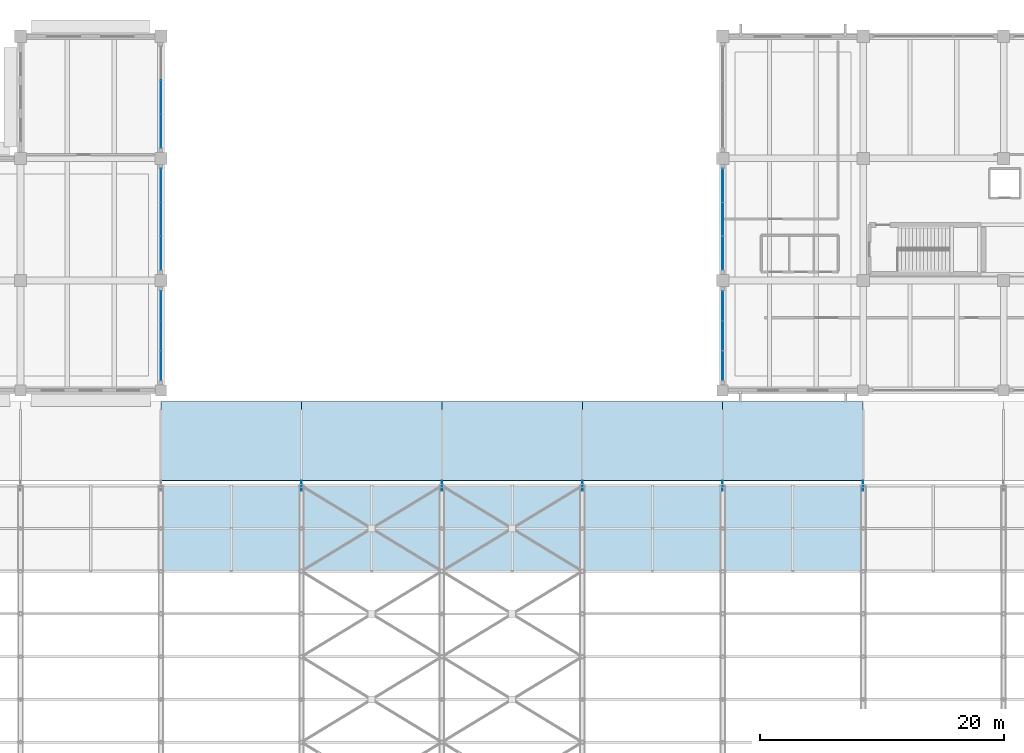
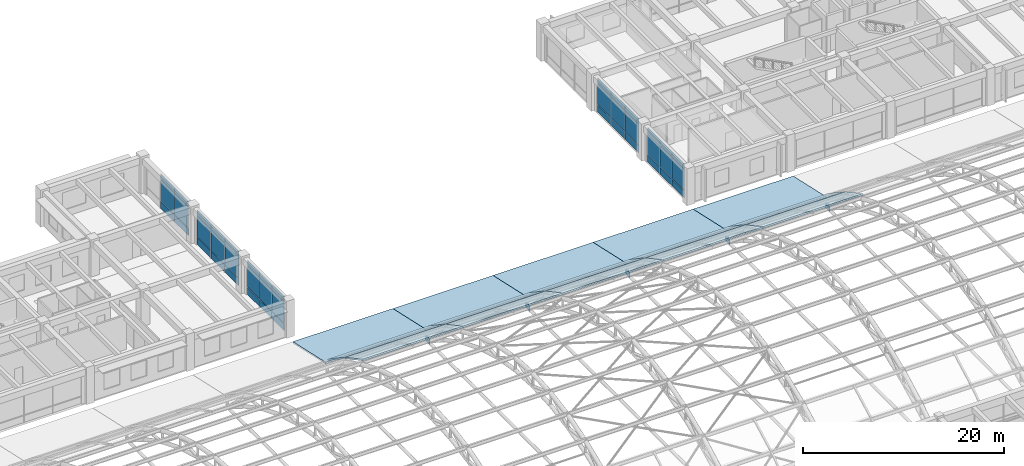
# One storey, part 129 of 154: 47 plates, 15 slabs, 5 elements without a shape of their own.
"""IFC4 building model written with IfcOpenShell, lengths in metres."""

from ifc_helpers import new_model, si_unit, direction, frame, origin, origin_2d, place, context, subcontext, project, spatial, polyline, rectangle, outline, extrude, material, layer, layer_set, type_object, element, aggregate, save


model = new_model("IFC4")

# Units and contexts
model_context = context("Model", 3, precision=1e-05, world=origin(), true_north=direction((0.0, 1.0)))
body_context = subcontext(model_context, "Body", "Model", "MODEL_VIEW")
ifc_project = project(units=[si_unit("LENGTHUNIT", "METRE"), si_unit("AREAUNIT", "SQUARE_METRE"), si_unit("VOLUMEUNIT", "CUBIC_METRE"), si_unit("PLANEANGLEUNIT", "RADIAN"), si_unit("MASSUNIT", "GRAM", prefix="KILO")], contexts=[model_context])

# Site, building, storey
site_placement = place(None, origin())
site = spatial("IfcSite", under=ifc_project, at=site_placement, CompositionType="ELEMENT")
building_placement = place(site_placement, origin())
building = spatial("IfcBuilding", under=site, at=building_placement, Name="Ologun Quay Terminus", CompositionType="ELEMENT")
storey_placement = place(building_placement, frame((0.0, 0.0, 13.800048828125)))
storey = spatial("IfcBuildingStorey", under=building, at=storey_placement, Name="L03", CompositionType="ELEMENT", Elevation=13.800048828125)

# Curtain wall, plates
ifc_material_1 = material(Name="Aluminium 6063-T6", Category="aluminium")
curtain_wall_type_1 = type_object("IfcCurtainWallType", Name="Rain-Garden West Courtyard Curtain Wall L03 8200x4150", PredefinedType="USERDEFINED", material=ifc_material_1)
curtain_wall_1_placement = place(storey_placement, origin())
curtain_wall_1 = element("IfcCurtainWall", 1, at=curtain_wall_1_placement, inside=storey, type_object=curtain_wall_type_1, Name="CW-16 Curtain Wall CW-L03-111", ObjectType="UNITISED CURTAIN WALL", PredefinedType="USERDEFINED")
ifc_material_2 = material(Name="Aluminium 6063-T6", Category="aluminium")
ifc_layer_1 = layer(ifc_material_2, 0.06005859375)
ifc_layer_set_1 = layer_set([ifc_layer_1], Name="Aluminium 6063-T6")
plate_type_1 = type_object("IfcPlateType", Name="Anodised Bronze Spandrel Panel 60", PredefinedType="CURTAIN_PANEL", material=ifc_layer_set_1)
plate_1_placement = place(storey_placement, frame((69.0, 87.83837890625, 0.02978515625), z_axis=(0.0, 0.0, 1.0), x_axis=(0.0, 1.0, 0.0)))
plate_1 = element("IfcPlate", 2, at=plate_1_placement, type_object=plate_type_1, Name="CW-L03-111 Panel B1-1", PredefinedType="CURTAIN_PANEL", context=body_context, shape_type="SweptSolid", body=[
    extrude(rectangle(XDim=2.436767578125, YDim=0.06005859375, at=origin_2d()), origin(), (0.0, 0.0, 1.0), 0.840087890625),
])
plate_2_placement = place(storey_placement, frame((69.0, 90.27490234375, 0.02978515625), z_axis=(0.0, 0.0, 1.0), x_axis=(0.0, 1.0, 0.0)))
plate_2 = element("IfcPlate", 3, at=plate_2_placement, type_object=plate_type_1, Name="CW-L03-111 Panel B2-1", PredefinedType="CURTAIN_PANEL", context=body_context, shape_type="SweptSolid", body=[
    extrude(rectangle(XDim=2.436767578125, YDim=0.06005859375, at=origin_2d()), origin(), (0.0, 0.0, 1.0), 0.840087890625),
])
plate_3_placement = place(storey_placement, frame((69.0, 92.711669921875, 0.02978515625), z_axis=(0.0, 0.0, 1.0), x_axis=(0.0, 1.0, 0.0)))
plate_3 = element("IfcPlate", 4, at=plate_3_placement, type_object=plate_type_1, Name="CW-L03-111 Panel B3-1", PredefinedType="CURTAIN_PANEL", context=body_context, shape_type="SweptSolid", body=[
    extrude(rectangle(XDim=2.436767578125, YDim=0.06005859375, at=origin_2d()), origin(), (0.0, 0.0, 1.0), 0.840087890625),
])

curtain_wall_2_placement = place(storey_placement, origin())
curtain_wall_2 = element("IfcCurtainWall", 5, at=curtain_wall_2_placement, inside=storey, type_object=curtain_wall_type_1, Name="CW-16 Curtain Wall CW-L03-112", ObjectType="UNITISED CURTAIN WALL", PredefinedType="USERDEFINED")
plate_4_placement = place(storey_placement, frame((69.0, 97.046630859375, 0.02978515625), z_axis=(0.0, 0.0, 1.0), x_axis=(0.0, 1.0, 0.0)))
plate_4 = element("IfcPlate", 6, at=plate_4_placement, type_object=plate_type_1, Name="CW-L03-112 Panel B1-1", PredefinedType="CURTAIN_PANEL", context=body_context, shape_type="SweptSolid", body=[
    extrude(rectangle(XDim=2.75341796875, YDim=0.06005859375, at=origin_2d()), origin(), (0.0, 0.0, 1.0), 0.840087890625),
])
plate_5_placement = place(storey_placement, frame((69.0, 99.800048828125, 0.02978515625), z_axis=(0.0, 0.0, 1.0), x_axis=(0.0, 1.0, 0.0)))
plate_5 = element("IfcPlate", 7, at=plate_5_placement, type_object=plate_type_1, Name="CW-L03-112 Panel B2-1", PredefinedType="CURTAIN_PANEL", context=body_context, shape_type="SweptSolid", body=[
    extrude(rectangle(XDim=2.75341796875, YDim=0.06005859375, at=origin_2d()), origin(), (0.0, 0.0, 1.0), 0.840087890625),
])
plate_6_placement = place(storey_placement, frame((69.0, 102.55322265625, 0.02978515625), z_axis=(0.0, 0.0, 1.0), x_axis=(0.0, 1.0, 0.0)))
plate_6 = element("IfcPlate", 8, at=plate_6_placement, type_object=plate_type_1, Name="CW-L03-112 Panel B3-1", PredefinedType="CURTAIN_PANEL", context=body_context, shape_type="SweptSolid", body=[
    extrude(rectangle(XDim=2.75341796875, YDim=0.06005859375, at=origin_2d()), origin(), (0.0, 0.0, 1.0), 0.840087890625),
])

curtain_wall_3_placement = place(storey_placement, origin())
curtain_wall_3 = element("IfcCurtainWall", 9, at=curtain_wall_3_placement, inside=storey, type_object=curtain_wall_type_1, Name="CW-16 Curtain Wall CW-L03-113", ObjectType="UNITISED CURTAIN WALL", PredefinedType="USERDEFINED")
plate_7_placement = place(storey_placement, frame((69.0, 107.046630859375, 0.02978515625), z_axis=(0.0, 0.0, 1.0), x_axis=(0.0, 1.0, 0.0)))
plate_7 = element("IfcPlate", 10, at=plate_7_placement, type_object=plate_type_1, Name="CW-L03-113 Panel B1-1", PredefinedType="CURTAIN_PANEL", context=body_context, shape_type="SweptSolid", body=[
    extrude(rectangle(XDim=2.75341796875, YDim=0.06005859375, at=origin_2d()), origin(), (0.0, 0.0, 1.0), 0.840087890625),
])
plate_8_placement = place(storey_placement, frame((69.0, 109.800048828125, 0.02978515625), z_axis=(0.0, 0.0, 1.0), x_axis=(0.0, 1.0, 0.0)))
plate_8 = element("IfcPlate", 11, at=plate_8_placement, type_object=plate_type_1, Name="CW-L03-113 Panel B2-1", PredefinedType="CURTAIN_PANEL", context=body_context, shape_type="SweptSolid", body=[
    extrude(rectangle(XDim=2.75341796875, YDim=0.06005859375, at=origin_2d()), origin(), (0.0, 0.0, 1.0), 0.840087890625),
])

# Plates
ifc_material_3 = material(Name="Steel S355", Category="steel")
ifc_layer_2 = layer(ifc_material_3, 0.0400390625)
ifc_layer_set_2 = layer_set([ifc_layer_2], Name="Steel S355")
plate_type_2 = type_object("IfcPlateType", Name="Arch Springing Steel Gusset Plate 40", PredefinedType="SHEET", material=ifc_layer_set_2)
for number, where, z_axis, x_axis, name in (
    (12, (80.5, 78.0, -0.2001953125), (0.0, 0.0, 1.0), (0.0, 1.0, 0.0), "PL-GUS Arch Springing Gusset 8/F"),
    (13, (92.0, 78.0, -0.2001953125), (0.0, 0.0, 1.0), (0.0, 1.0, 0.0), "PL-GUS Arch Springing Gusset 9/F"),
    (14, (103.5, 78.0, -0.2001953125), (0.0, 0.0, 1.0), (0.0, 1.0, 0.0), "PL-GUS Arch Springing Gusset 10/F"),
    (15, (115.0, 78.0, -0.2001953125), (0.0, 0.0, 1.0), (0.0, 1.0, 0.0), "PL-GUS Arch Springing Gusset 11/F"),
    (16, (126.5, 78.0, -0.2001953125), (0.0, 0.0, 1.0), (0.0, 1.0, 0.0), "PL-GUS Arch Springing Gusset 12/F"),
):
    element("IfcPlate", number, at=place(storey_placement, frame(where, z_axis=z_axis, x_axis=x_axis)), inside=storey, type_object=plate_type_2, Name=name, PredefinedType="SHEET", context=body_context, shape_type="SweptSolid", body=[
        extrude(rectangle(XDim=0.800048828125, YDim=0.0400390625, at=origin_2d()), origin(), (0.0, 0.0, 1.0), 0.699951171875),
    ])

# Plate
ifc_material_4 = material(Name="Glass", Category="glass")
ifc_layer_3 = layer(ifc_material_4, 0.035888671875)
ifc_layer_set_3 = layer_set([ifc_layer_3], Name="Glass")
plate_type_3 = type_object("IfcPlateType", Name="High-Selectivity Harbour Glazed Panel 36", PredefinedType="CURTAIN_PANEL", material=ifc_layer_set_3)
plate_9_placement = place(storey_placement, frame((69.0, 87.83837890625, 0.9296875), z_axis=(0.0, 0.0, 1.0), x_axis=(0.0, 1.0, 0.0)))
plate_9 = element("IfcPlate", 17, at=plate_9_placement, type_object=plate_type_3, Name="CW-L03-111 Panel B1-2", PredefinedType="CURTAIN_PANEL", context=body_context, shape_type="SweptSolid", body=[
    extrude(rectangle(XDim=2.436767578125, YDim=0.035888671875, at=origin_2d()), origin(), (0.0, 0.0, 1.0), 2.570068359375),
])

plate_10_placement = place(storey_placement, frame((69.0, 87.83837890625, 3.56005859375), z_axis=(0.0, 0.0, 1.0), x_axis=(0.0, 1.0, 0.0)))
plate_10 = element("IfcPlate", 18, at=plate_10_placement, type_object=plate_type_3, Name="CW-L03-111 Panel B1-3", PredefinedType="CURTAIN_PANEL", context=body_context, shape_type="SweptSolid", body=[
    extrude(rectangle(XDim=2.436767578125, YDim=0.035888671875, at=origin_2d()), origin(), (0.0, 0.0, 1.0), 0.639892578125),
])

plate_11_placement = place(storey_placement, frame((69.0, 90.27490234375, 0.9296875), z_axis=(0.0, 0.0, 1.0), x_axis=(0.0, 1.0, 0.0)))
plate_11 = element("IfcPlate", 19, at=plate_11_placement, type_object=plate_type_3, Name="CW-L03-111 Panel B2-2", PredefinedType="CURTAIN_PANEL", context=body_context, shape_type="SweptSolid", body=[
    extrude(rectangle(XDim=2.436767578125, YDim=0.035888671875, at=origin_2d()), origin(), (0.0, 0.0, 1.0), 2.570068359375),
])

plate_12_placement = place(storey_placement, frame((69.0, 90.27490234375, 3.56005859375), z_axis=(0.0, 0.0, 1.0), x_axis=(0.0, 1.0, 0.0)))
plate_12 = element("IfcPlate", 20, at=plate_12_placement, type_object=plate_type_3, Name="CW-L03-111 Panel B2-3", PredefinedType="CURTAIN_PANEL", context=body_context, shape_type="SweptSolid", body=[
    extrude(rectangle(XDim=2.436767578125, YDim=0.035888671875, at=origin_2d()), origin(), (0.0, 0.0, 1.0), 0.639892578125),
])

plate_13_placement = place(storey_placement, frame((69.0, 92.711669921875, 0.9296875), z_axis=(0.0, 0.0, 1.0), x_axis=(0.0, 1.0, 0.0)))
plate_13 = element("IfcPlate", 21, at=plate_13_placement, type_object=plate_type_3, Name="CW-L03-111 Panel B3-2", PredefinedType="CURTAIN_PANEL", context=body_context, shape_type="SweptSolid", body=[
    extrude(rectangle(XDim=2.436767578125, YDim=0.035888671875, at=origin_2d()), origin(), (0.0, 0.0, 1.0), 2.570068359375),
])

plate_14_placement = place(storey_placement, frame((69.0, 92.711669921875, 3.56005859375), z_axis=(0.0, 0.0, 1.0), x_axis=(0.0, 1.0, 0.0)))
plate_14 = element("IfcPlate", 22, at=plate_14_placement, type_object=plate_type_3, Name="CW-L03-111 Panel B3-3", PredefinedType="CURTAIN_PANEL", context=body_context, shape_type="SweptSolid", body=[
    extrude(rectangle(XDim=2.436767578125, YDim=0.035888671875, at=origin_2d()), origin(), (0.0, 0.0, 1.0), 0.639892578125),
])

aggregate(curtain_wall_1, [plate_1, plate_9, plate_10, plate_2, plate_11, plate_12, plate_3, plate_13, plate_14])

plate_15_placement = place(storey_placement, frame((69.0, 97.046630859375, 0.9296875), z_axis=(0.0, 0.0, 1.0), x_axis=(0.0, 1.0, 0.0)))
plate_15 = element("IfcPlate", 23, at=plate_15_placement, type_object=plate_type_3, Name="CW-L03-112 Panel B1-2", PredefinedType="CURTAIN_PANEL", context=body_context, shape_type="SweptSolid", body=[
    extrude(rectangle(XDim=2.75341796875, YDim=0.035888671875, at=origin_2d()), origin(), (0.0, 0.0, 1.0), 2.570068359375),
])

plate_16_placement = place(storey_placement, frame((69.0, 97.046630859375, 3.56005859375), z_axis=(0.0, 0.0, 1.0), x_axis=(0.0, 1.0, 0.0)))
plate_16 = element("IfcPlate", 24, at=plate_16_placement, type_object=plate_type_3, Name="CW-L03-112 Panel B1-3", PredefinedType="CURTAIN_PANEL", context=body_context, shape_type="SweptSolid", body=[
    extrude(rectangle(XDim=2.75341796875, YDim=0.035888671875, at=origin_2d()), origin(), (0.0, 0.0, 1.0), 0.639892578125),
])

plate_17_placement = place(storey_placement, frame((69.0, 99.800048828125, 0.9296875), z_axis=(0.0, 0.0, 1.0), x_axis=(0.0, 1.0, 0.0)))
plate_17 = element("IfcPlate", 25, at=plate_17_placement, type_object=plate_type_3, Name="CW-L03-112 Panel B2-2", PredefinedType="CURTAIN_PANEL", context=body_context, shape_type="SweptSolid", body=[
    extrude(rectangle(XDim=2.75341796875, YDim=0.035888671875, at=origin_2d()), origin(), (0.0, 0.0, 1.0), 2.570068359375),
])

plate_18_placement = place(storey_placement, frame((69.0, 99.800048828125, 3.56005859375), z_axis=(0.0, 0.0, 1.0), x_axis=(0.0, 1.0, 0.0)))
plate_18 = element("IfcPlate", 26, at=plate_18_placement, type_object=plate_type_3, Name="CW-L03-112 Panel B2-3", PredefinedType="CURTAIN_PANEL", context=body_context, shape_type="SweptSolid", body=[
    extrude(rectangle(XDim=2.75341796875, YDim=0.035888671875, at=origin_2d()), origin(), (0.0, 0.0, 1.0), 0.639892578125),
])

plate_19_placement = place(storey_placement, frame((69.0, 102.55322265625, 0.9296875), z_axis=(0.0, 0.0, 1.0), x_axis=(0.0, 1.0, 0.0)))
plate_19 = element("IfcPlate", 27, at=plate_19_placement, type_object=plate_type_3, Name="CW-L03-112 Panel B3-2", PredefinedType="CURTAIN_PANEL", context=body_context, shape_type="SweptSolid", body=[
    extrude(rectangle(XDim=2.75341796875, YDim=0.035888671875, at=origin_2d()), origin(), (0.0, 0.0, 1.0), 2.570068359375),
])

plate_20_placement = place(storey_placement, frame((69.0, 102.55322265625, 3.56005859375), z_axis=(0.0, 0.0, 1.0), x_axis=(0.0, 1.0, 0.0)))
plate_20 = element("IfcPlate", 28, at=plate_20_placement, type_object=plate_type_3, Name="CW-L03-112 Panel B3-3", PredefinedType="CURTAIN_PANEL", context=body_context, shape_type="SweptSolid", body=[
    extrude(rectangle(XDim=2.75341796875, YDim=0.035888671875, at=origin_2d()), origin(), (0.0, 0.0, 1.0), 0.639892578125),
])

aggregate(curtain_wall_2, [plate_4, plate_15, plate_16, plate_5, plate_17, plate_18, plate_6, plate_19, plate_20])

plate_21_placement = place(storey_placement, frame((69.0, 107.046630859375, 0.9296875), z_axis=(0.0, 0.0, 1.0), x_axis=(0.0, 1.0, 0.0)))
plate_21 = element("IfcPlate", 29, at=plate_21_placement, type_object=plate_type_3, Name="CW-L03-113 Panel B1-2", PredefinedType="CURTAIN_PANEL", context=body_context, shape_type="SweptSolid", body=[
    extrude(rectangle(XDim=2.75341796875, YDim=0.035888671875, at=origin_2d()), origin(), (0.0, 0.0, 1.0), 2.570068359375),
])

plate_22_placement = place(storey_placement, frame((69.0, 107.046630859375, 3.56005859375), z_axis=(0.0, 0.0, 1.0), x_axis=(0.0, 1.0, 0.0)))
plate_22 = element("IfcPlate", 30, at=plate_22_placement, type_object=plate_type_3, Name="CW-L03-113 Panel B1-3", PredefinedType="CURTAIN_PANEL", context=body_context, shape_type="SweptSolid", body=[
    extrude(rectangle(XDim=2.75341796875, YDim=0.035888671875, at=origin_2d()), origin(), (0.0, 0.0, 1.0), 0.639892578125),
])

plate_23_placement = place(storey_placement, frame((69.0, 109.800048828125, 0.9296875), z_axis=(0.0, 0.0, 1.0), x_axis=(0.0, 1.0, 0.0)))
plate_23 = element("IfcPlate", 31, at=plate_23_placement, type_object=plate_type_3, Name="CW-L03-113 Panel B2-2", PredefinedType="CURTAIN_PANEL", context=body_context, shape_type="SweptSolid", body=[
    extrude(rectangle(XDim=2.75341796875, YDim=0.035888671875, at=origin_2d()), origin(), (0.0, 0.0, 1.0), 2.570068359375),
])

plate_24_placement = place(storey_placement, frame((69.0, 109.800048828125, 3.56005859375), z_axis=(0.0, 0.0, 1.0), x_axis=(0.0, 1.0, 0.0)))
plate_24 = element("IfcPlate", 32, at=plate_24_placement, type_object=plate_type_3, Name="CW-L03-113 Panel B2-3", PredefinedType="CURTAIN_PANEL", context=body_context, shape_type="SweptSolid", body=[
    extrude(rectangle(XDim=2.75341796875, YDim=0.035888671875, at=origin_2d()), origin(), (0.0, 0.0, 1.0), 0.639892578125),
])

aggregate(curtain_wall_3, [plate_7, plate_21, plate_22, plate_8, plate_23, plate_24])

# Curtain wall, plates
ifc_material_5 = material(Name="Aluminium 6063-T6", Category="aluminium")
curtain_wall_type_2 = type_object("IfcCurtainWallType", Name="Rain-Garden East Courtyard Curtain Wall L03 9200x4150", PredefinedType="USERDEFINED", material=ifc_material_5)
curtain_wall_4_placement = place(storey_placement, origin())
curtain_wall_4 = element("IfcCurtainWall", 33, at=curtain_wall_4_placement, inside=storey, type_object=curtain_wall_type_2, Name="CW-20 Curtain Wall CW-L03-142", ObjectType="UNITISED CURTAIN WALL", PredefinedType="USERDEFINED")
plate_25_placement = place(storey_placement, frame((115.0, 87.83837890625, 0.9296875), z_axis=(0.0, 0.0, 1.0), x_axis=(0.0, 1.0, 0.0)))
plate_25 = element("IfcPlate", 34, at=plate_25_placement, type_object=plate_type_3, Name="CW-L03-142 Panel B1-2", PredefinedType="CURTAIN_PANEL", context=body_context, shape_type="SweptSolid", body=[
    extrude(rectangle(XDim=2.436767578125, YDim=0.035888671875, at=origin_2d()), origin(), (0.0, 0.0, 1.0), 2.570068359375),
])
plate_26_placement = place(storey_placement, frame((115.0, 87.83837890625, 3.56005859375), z_axis=(0.0, 0.0, 1.0), x_axis=(0.0, 1.0, 0.0)))
plate_26 = element("IfcPlate", 35, at=plate_26_placement, type_object=plate_type_3, Name="CW-L03-142 Panel B1-3", PredefinedType="CURTAIN_PANEL", context=body_context, shape_type="SweptSolid", body=[
    extrude(rectangle(XDim=2.436767578125, YDim=0.035888671875, at=origin_2d()), origin(), (0.0, 0.0, 1.0), 0.639892578125),
])
plate_27_placement = place(storey_placement, frame((115.0, 90.27490234375, 0.9296875), z_axis=(0.0, 0.0, 1.0), x_axis=(0.0, 1.0, 0.0)))
plate_27 = element("IfcPlate", 36, at=plate_27_placement, type_object=plate_type_3, Name="CW-L03-142 Panel B2-2", PredefinedType="CURTAIN_PANEL", context=body_context, shape_type="SweptSolid", body=[
    extrude(rectangle(XDim=2.436767578125, YDim=0.035888671875, at=origin_2d()), origin(), (0.0, 0.0, 1.0), 2.570068359375),
])
plate_28_placement = place(storey_placement, frame((115.0, 90.27490234375, 3.56005859375), z_axis=(0.0, 0.0, 1.0), x_axis=(0.0, 1.0, 0.0)))
plate_28 = element("IfcPlate", 37, at=plate_28_placement, type_object=plate_type_3, Name="CW-L03-142 Panel B2-3", PredefinedType="CURTAIN_PANEL", context=body_context, shape_type="SweptSolid", body=[
    extrude(rectangle(XDim=2.436767578125, YDim=0.035888671875, at=origin_2d()), origin(), (0.0, 0.0, 1.0), 0.639892578125),
])
plate_29_placement = place(storey_placement, frame((115.0, 92.711669921875, 0.9296875), z_axis=(0.0, 0.0, 1.0), x_axis=(0.0, 1.0, 0.0)))
plate_29 = element("IfcPlate", 38, at=plate_29_placement, type_object=plate_type_3, Name="CW-L03-142 Panel B3-2", PredefinedType="CURTAIN_PANEL", context=body_context, shape_type="SweptSolid", body=[
    extrude(rectangle(XDim=2.436767578125, YDim=0.035888671875, at=origin_2d()), origin(), (0.0, 0.0, 1.0), 2.570068359375),
])
plate_30_placement = place(storey_placement, frame((115.0, 92.711669921875, 3.56005859375), z_axis=(0.0, 0.0, 1.0), x_axis=(0.0, 1.0, 0.0)))
plate_30 = element("IfcPlate", 39, at=plate_30_placement, type_object=plate_type_3, Name="CW-L03-142 Panel B3-3", PredefinedType="CURTAIN_PANEL", context=body_context, shape_type="SweptSolid", body=[
    extrude(rectangle(XDim=2.436767578125, YDim=0.035888671875, at=origin_2d()), origin(), (0.0, 0.0, 1.0), 0.639892578125),
])

curtain_wall_5_placement = place(storey_placement, origin())
curtain_wall_5 = element("IfcCurtainWall", 40, at=curtain_wall_5_placement, inside=storey, type_object=curtain_wall_type_2, Name="CW-20 Curtain Wall CW-L03-143", ObjectType="UNITISED CURTAIN WALL", PredefinedType="USERDEFINED")
plate_31_placement = place(storey_placement, frame((115.0, 97.046630859375, 0.9296875), z_axis=(0.0, 0.0, 1.0), x_axis=(0.0, 1.0, 0.0)))
plate_31 = element("IfcPlate", 41, at=plate_31_placement, type_object=plate_type_3, Name="CW-L03-143 Panel B1-2", PredefinedType="CURTAIN_PANEL", context=body_context, shape_type="SweptSolid", body=[
    extrude(rectangle(XDim=2.75341796875, YDim=0.035888671875, at=origin_2d()), origin(), (0.0, 0.0, 1.0), 2.570068359375),
])
plate_32_placement = place(storey_placement, frame((115.0, 97.046630859375, 3.56005859375), z_axis=(0.0, 0.0, 1.0), x_axis=(0.0, 1.0, 0.0)))
plate_32 = element("IfcPlate", 42, at=plate_32_placement, type_object=plate_type_3, Name="CW-L03-143 Panel B1-3", PredefinedType="CURTAIN_PANEL", context=body_context, shape_type="SweptSolid", body=[
    extrude(rectangle(XDim=2.75341796875, YDim=0.035888671875, at=origin_2d()), origin(), (0.0, 0.0, 1.0), 0.639892578125),
])
plate_33_placement = place(storey_placement, frame((115.0, 99.800048828125, 0.9296875), z_axis=(0.0, 0.0, 1.0), x_axis=(0.0, 1.0, 0.0)))
plate_33 = element("IfcPlate", 43, at=plate_33_placement, type_object=plate_type_3, Name="CW-L03-143 Panel B2-2", PredefinedType="CURTAIN_PANEL", context=body_context, shape_type="SweptSolid", body=[
    extrude(rectangle(XDim=2.75341796875, YDim=0.035888671875, at=origin_2d()), origin(), (0.0, 0.0, 1.0), 2.570068359375),
])
plate_34_placement = place(storey_placement, frame((115.0, 99.800048828125, 3.56005859375), z_axis=(0.0, 0.0, 1.0), x_axis=(0.0, 1.0, 0.0)))
plate_34 = element("IfcPlate", 44, at=plate_34_placement, type_object=plate_type_3, Name="CW-L03-143 Panel B2-3", PredefinedType="CURTAIN_PANEL", context=body_context, shape_type="SweptSolid", body=[
    extrude(rectangle(XDim=2.75341796875, YDim=0.035888671875, at=origin_2d()), origin(), (0.0, 0.0, 1.0), 0.639892578125),
])
plate_35_placement = place(storey_placement, frame((115.0, 102.55322265625, 0.9296875), z_axis=(0.0, 0.0, 1.0), x_axis=(0.0, 1.0, 0.0)))
plate_35 = element("IfcPlate", 45, at=plate_35_placement, type_object=plate_type_3, Name="CW-L03-143 Panel B3-2", PredefinedType="CURTAIN_PANEL", context=body_context, shape_type="SweptSolid", body=[
    extrude(rectangle(XDim=2.75341796875, YDim=0.035888671875, at=origin_2d()), origin(), (0.0, 0.0, 1.0), 2.570068359375),
])
plate_36_placement = place(storey_placement, frame((115.0, 102.55322265625, 3.56005859375), z_axis=(0.0, 0.0, 1.0), x_axis=(0.0, 1.0, 0.0)))
plate_36 = element("IfcPlate", 46, at=plate_36_placement, type_object=plate_type_3, Name="CW-L03-143 Panel B3-3", PredefinedType="CURTAIN_PANEL", context=body_context, shape_type="SweptSolid", body=[
    extrude(rectangle(XDim=2.75341796875, YDim=0.035888671875, at=origin_2d()), origin(), (0.0, 0.0, 1.0), 0.639892578125),
])

# Plate
ifc_material_6 = material(Name="Aluminium 6063-T6", Category="aluminium")
ifc_layer_4 = layer(ifc_material_6, 0.050048828125)
ifc_layer_set_4 = layer_set([ifc_layer_4], Name="Aluminium 6063-T6")
plate_type_4 = type_object("IfcPlateType", Name="Insulated Aluminium Shadow-Box Spandrel 50", PredefinedType="CURTAIN_PANEL", material=ifc_layer_set_4)
plate_37_placement = place(storey_placement, frame((115.0, 87.83837890625, 0.02978515625), z_axis=(0.0, 0.0, 1.0), x_axis=(0.0, 1.0, 0.0)))
plate_37 = element("IfcPlate", 47, at=plate_37_placement, type_object=plate_type_4, Name="CW-L03-142 Panel B1-1", PredefinedType="CURTAIN_PANEL", context=body_context, shape_type="SweptSolid", body=[
    extrude(rectangle(XDim=2.436767578125, YDim=0.050048828125, at=origin_2d()), origin(), (0.0, 0.0, 1.0), 0.840087890625),
])

plate_38_placement = place(storey_placement, frame((115.0, 90.27490234375, 0.02978515625), z_axis=(0.0, 0.0, 1.0), x_axis=(0.0, 1.0, 0.0)))
plate_38 = element("IfcPlate", 48, at=plate_38_placement, type_object=plate_type_4, Name="CW-L03-142 Panel B2-1", PredefinedType="CURTAIN_PANEL", context=body_context, shape_type="SweptSolid", body=[
    extrude(rectangle(XDim=2.436767578125, YDim=0.050048828125, at=origin_2d()), origin(), (0.0, 0.0, 1.0), 0.840087890625),
])

plate_39_placement = place(storey_placement, frame((115.0, 92.711669921875, 0.02978515625), z_axis=(0.0, 0.0, 1.0), x_axis=(0.0, 1.0, 0.0)))
plate_39 = element("IfcPlate", 49, at=plate_39_placement, type_object=plate_type_4, Name="CW-L03-142 Panel B3-1", PredefinedType="CURTAIN_PANEL", context=body_context, shape_type="SweptSolid", body=[
    extrude(rectangle(XDim=2.436767578125, YDim=0.050048828125, at=origin_2d()), origin(), (0.0, 0.0, 1.0), 0.840087890625),
])

aggregate(curtain_wall_4, [plate_37, plate_25, plate_26, plate_38, plate_27, plate_28, plate_39, plate_29, plate_30])

plate_40_placement = place(storey_placement, frame((115.0, 97.046630859375, 0.02978515625), z_axis=(0.0, 0.0, 1.0), x_axis=(0.0, 1.0, 0.0)))
plate_40 = element("IfcPlate", 50, at=plate_40_placement, type_object=plate_type_4, Name="CW-L03-143 Panel B1-1", PredefinedType="CURTAIN_PANEL", context=body_context, shape_type="SweptSolid", body=[
    extrude(rectangle(XDim=2.75341796875, YDim=0.050048828125, at=origin_2d()), origin(), (0.0, 0.0, 1.0), 0.840087890625),
])

plate_41_placement = place(storey_placement, frame((115.0, 99.800048828125, 0.02978515625), z_axis=(0.0, 0.0, 1.0), x_axis=(0.0, 1.0, 0.0)))
plate_41 = element("IfcPlate", 51, at=plate_41_placement, type_object=plate_type_4, Name="CW-L03-143 Panel B2-1", PredefinedType="CURTAIN_PANEL", context=body_context, shape_type="SweptSolid", body=[
    extrude(rectangle(XDim=2.75341796875, YDim=0.050048828125, at=origin_2d()), origin(), (0.0, 0.0, 1.0), 0.840087890625),
])

plate_42_placement = place(storey_placement, frame((115.0, 102.55322265625, 0.02978515625), z_axis=(0.0, 0.0, 1.0), x_axis=(0.0, 1.0, 0.0)))
plate_42 = element("IfcPlate", 52, at=plate_42_placement, type_object=plate_type_4, Name="CW-L03-143 Panel B3-1", PredefinedType="CURTAIN_PANEL", context=body_context, shape_type="SweptSolid", body=[
    extrude(rectangle(XDim=2.75341796875, YDim=0.050048828125, at=origin_2d()), origin(), (0.0, 0.0, 1.0), 0.840087890625),
])

aggregate(curtain_wall_5, [plate_40, plate_31, plate_32, plate_41, plate_33, plate_34, plate_42, plate_35, plate_36])

# Slabs
ifc_material_7 = material(Name="Concrete C40/50", Category="concrete")
ifc_layer_5 = layer(ifc_material_7, 0.199951171875)
ifc_layer_set_5 = layer_set([ifc_layer_5], Name="Concrete C40/50")
slab_type_1 = type_object("IfcSlabType", Name="Pitched Overhanging Concrete Roof Slab 200", PredefinedType="ROOF", material=ifc_layer_set_5)
for number, where, z_axis, x_axis, name in (
    (53, (69.0, 84.909912109375, -0.271240234375), (0.0, 0.21695378705, 0.976181875618), (1.0, 0.0, 0.0), "SL-RF North Gallery Sloped Roof Bay 7"),
    (54, (80.5, 84.909912109375, -0.271240234375), (0.0, 0.21695378705, 0.976181875618), (1.0, 0.0, 0.0), "SL-RF North Gallery Sloped Roof Bay 8"),
    (55, (92.0, 84.909912109375, -0.271240234375), (0.0, 0.21695378705, 0.976181875618), (1.0, 0.0, 0.0), "SL-RF North Gallery Sloped Roof Bay 9"),
    (56, (103.5, 84.909912109375, -0.271240234375), (0.0, 0.21695378705, 0.976181875618), (1.0, 0.0, 0.0), "SL-RF North Gallery Sloped Roof Bay 10"),
    (57, (115.0, 84.909912109375, -0.271240234375), (0.0, 0.21695378705, 0.976181875618), (1.0, 0.0, 0.0), "SL-RF North Gallery Sloped Roof Bay 11"),
):
    element("IfcSlab", number, at=place(storey_placement, frame(where, z_axis=z_axis, x_axis=x_axis)), inside=storey, type_object=slab_type_1, Name=name, PredefinedType="ROOF", context=body_context, shape_type="SweptSolid", body=[
        extrude(outline(polyline([(0.0, 0.0), (11.5, 0.0), (11.5, -6.648341253281022), (0.0, -6.648341253281022), (0.0, 0.0)])), origin(), (0.0, 0.0, -1.0), 0.199951171875),
    ])
ifc_material_8 = material(Name="Steel S355", Category="steel")
ifc_layer_6 = layer(ifc_material_8, 0.159912109375)
ifc_layer_set_6 = layer_set([ifc_layer_6], Name="Steel S355")
slab_type_2 = type_object("IfcSlabType", Name="Train Shed Barrel Roof Facet Slab 160", PredefinedType="ROOF", material=ifc_layer_set_6)
slab_1_placement = place(storey_placement, frame((69.0, 71.0, 6.0283203125), z_axis=(0.0, 0.473176099324, 0.880967864924), x_axis=(1.0, 0.0, 0.0)))
element("IfcSlab", 58, at=slab_1_placement, inside=storey, type_object=slab_type_2, Name="SL-SHD Train Shed Eave Roof Facet B7-P11", PredefinedType="ROOF", context=body_context, shape_type="SweptSolid", body=[
    extrude(outline(polyline([(0.0, 0.0), (11.5, 0.0), (11.5, 3.972903143638529), (0.0, 3.972903143638529), (0.0, 0.0)])), origin(), (0.0, 0.0, -1.0), 0.159912109375),
])
slab_2_placement = place(storey_placement, frame((69.0, 74.5, 4.158203125), z_axis=(0.0, 0.55717065423, 0.830398014247), x_axis=(1.0, 0.0, 0.0)))
element("IfcSlab", 59, at=slab_2_placement, inside=storey, type_object=slab_type_2, Name="SL-SHD Train Shed Eave Roof Facet B7-P12", PredefinedType="ROOF", context=body_context, shape_type="SweptSolid", body=[
    extrude(outline(polyline([(0.0, 0.0), (11.5, 0.0), (11.5, 4.214846302558472), (0.0, 4.214846302558472), (0.0, 0.0)])), origin(), (0.0, 0.0, -1.0), 0.159912109375),
])
slab_3_placement = place(storey_placement, frame((80.5, 71.0, 6.0283203125), z_axis=(0.0, 0.473176099324, 0.880967864924), x_axis=(1.0, 0.0, 0.0)))
element("IfcSlab", 60, at=slab_3_placement, inside=storey, type_object=slab_type_2, Name="SL-SHD Train Shed Eave Roof Facet B8-P11", PredefinedType="ROOF", context=body_context, shape_type="SweptSolid", body=[
    extrude(outline(polyline([(0.0, 0.0), (11.5, 0.0), (11.5, 3.972903143638529), (0.0, 3.972903143638529), (0.0, 0.0)])), origin(), (0.0, 0.0, -1.0), 0.159912109375),
])
slab_4_placement = place(storey_placement, frame((80.5, 74.5, 4.158203125), z_axis=(0.0, 0.55717065423, 0.830398014247), x_axis=(1.0, 0.0, 0.0)))
element("IfcSlab", 61, at=slab_4_placement, inside=storey, type_object=slab_type_2, Name="SL-SHD Train Shed Eave Roof Facet B8-P12", PredefinedType="ROOF", context=body_context, shape_type="SweptSolid", body=[
    extrude(outline(polyline([(0.0, 0.0), (11.5, 0.0), (11.5, 4.214846302558472), (0.0, 4.214846302558472), (0.0, 0.0)])), origin(), (0.0, 0.0, -1.0), 0.159912109375),
])
slab_5_placement = place(storey_placement, frame((92.0, 71.0, 6.0283203125), z_axis=(0.0, 0.473176099324, 0.880967864924), x_axis=(1.0, 0.0, 0.0)))
element("IfcSlab", 62, at=slab_5_placement, inside=storey, type_object=slab_type_2, Name="SL-SHD Train Shed Eave Roof Facet B9-P11", PredefinedType="ROOF", context=body_context, shape_type="SweptSolid", body=[
    extrude(outline(polyline([(0.0, 0.0), (11.5, 0.0), (11.5, 3.972903143638529), (0.0, 3.972903143638529), (0.0, 0.0)])), origin(), (0.0, 0.0, -1.0), 0.159912109375),
])
slab_6_placement = place(storey_placement, frame((92.0, 74.5, 4.158203125), z_axis=(0.0, 0.55717065423, 0.830398014247), x_axis=(1.0, 0.0, 0.0)))
element("IfcSlab", 63, at=slab_6_placement, inside=storey, type_object=slab_type_2, Name="SL-SHD Train Shed Eave Roof Facet B9-P12", PredefinedType="ROOF", context=body_context, shape_type="SweptSolid", body=[
    extrude(outline(polyline([(0.0, 0.0), (11.5, 0.0), (11.5, 4.214846302558472), (0.0, 4.214846302558472), (0.0, 0.0)])), origin(), (0.0, 0.0, -1.0), 0.159912109375),
])
slab_7_placement = place(storey_placement, frame((103.5, 71.0, 6.0283203125), z_axis=(0.0, 0.473176099324, 0.880967864924), x_axis=(1.0, 0.0, 0.0)))
element("IfcSlab", 64, at=slab_7_placement, inside=storey, type_object=slab_type_2, Name="SL-SHD Train Shed Eave Roof Facet B10-P11", PredefinedType="ROOF", context=body_context, shape_type="SweptSolid", body=[
    extrude(outline(polyline([(0.0, 0.0), (11.5, 0.0), (11.5, 3.972903143638529), (0.0, 3.972903143638529), (0.0, 0.0)])), origin(), (0.0, 0.0, -1.0), 0.159912109375),
])
slab_8_placement = place(storey_placement, frame((103.5, 74.5, 4.158203125), z_axis=(0.0, 0.55717065423, 0.830398014247), x_axis=(1.0, 0.0, 0.0)))
element("IfcSlab", 65, at=slab_8_placement, inside=storey, type_object=slab_type_2, Name="SL-SHD Train Shed Eave Roof Facet B10-P12", PredefinedType="ROOF", context=body_context, shape_type="SweptSolid", body=[
    extrude(outline(polyline([(0.0, 0.0), (11.5, 0.0), (11.5, 4.214846302558472), (0.0, 4.214846302558472), (0.0, 0.0)])), origin(), (0.0, 0.0, -1.0), 0.159912109375),
])
slab_9_placement = place(storey_placement, frame((115.0, 71.0, 6.0283203125), z_axis=(0.0, 0.473176099324, 0.880967864924), x_axis=(1.0, 0.0, 0.0)))
element("IfcSlab", 66, at=slab_9_placement, inside=storey, type_object=slab_type_2, Name="SL-SHD Train Shed Eave Roof Facet B11-P11", PredefinedType="ROOF", context=body_context, shape_type="SweptSolid", body=[
    extrude(outline(polyline([(0.0, 0.0), (11.5, 0.0), (11.5, 3.972903143638529), (0.0, 3.972903143638529), (0.0, 0.0)])), origin(), (0.0, 0.0, -1.0), 0.159912109375),
])
slab_10_placement = place(storey_placement, frame((115.0, 74.5, 4.158203125), z_axis=(0.0, 0.55717065423, 0.830398014247), x_axis=(1.0, 0.0, 0.0)))
element("IfcSlab", 67, at=slab_10_placement, inside=storey, type_object=slab_type_2, Name="SL-SHD Train Shed Eave Roof Facet B11-P12", PredefinedType="ROOF", context=body_context, shape_type="SweptSolid", body=[
    extrude(outline(polyline([(0.0, 0.0), (11.5, 0.0), (11.5, 4.214846302558472), (0.0, 4.214846302558472), (0.0, 0.0)])), origin(), (0.0, 0.0, -1.0), 0.159912109375),
])

save(model, "model.ifc")
